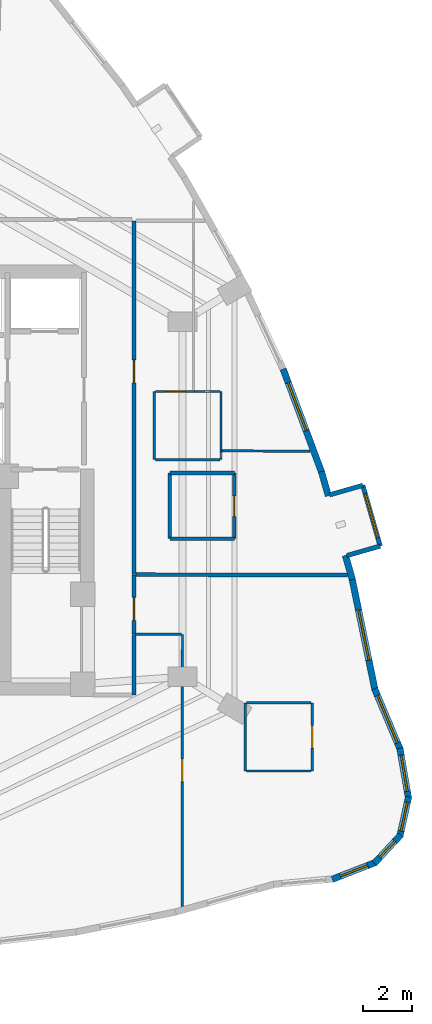
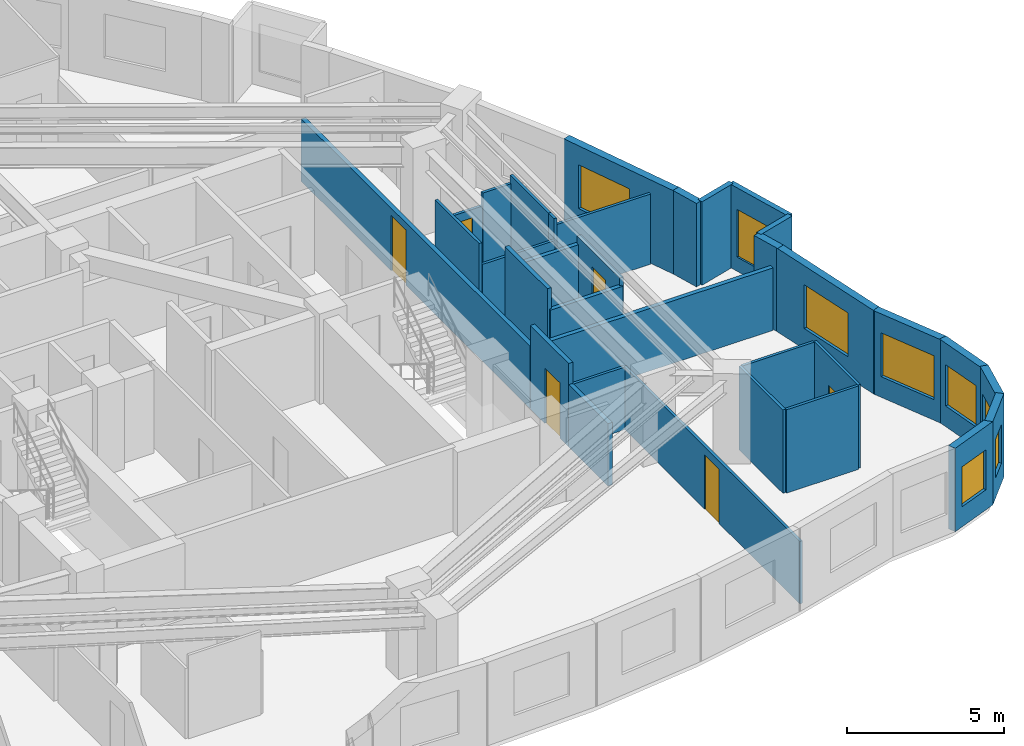
# One storey, part 7 of 10: 33 walls, 8 windows, 6 doors, 14 openings.
"""IFC4 building model written with IfcOpenShell, lengths in metres."""

from ifc_helpers import new_model, si_unit, direction, frame, frame_2d, origin, place, context, subcontext, project, spatial, rectangle, extrude, material, layer, layer_set, type_object, element, fill, save


model = new_model("IFC4")

# Units and contexts
model_context = context("Model", 3, precision=1e-05, world=origin(), true_north=direction((0.0, 1.0)))
body_context = subcontext(model_context, "Body", "Model", "MODEL_VIEW")
ifc_project = project(units=[si_unit("LENGTHUNIT", "METRE"), si_unit("AREAUNIT", "SQUARE_METRE"), si_unit("VOLUMEUNIT", "CUBIC_METRE"), si_unit("PLANEANGLEUNIT", "RADIAN"), si_unit("MASSUNIT", "GRAM", prefix="KILO")], contexts=[model_context])

# Site, building, storey
site_placement = place(None, origin())
site = spatial("IfcSite", under=ifc_project, at=site_placement, CompositionType="ELEMENT")
building_placement = place(site_placement, origin())
building = spatial("IfcBuilding", under=site, at=building_placement, Name="Miruveldt Soraemaru", CompositionType="ELEMENT")
storey_placement = place(building_placement, frame((0.0, 0.0, 124.89990234375)))
storey = spatial("IfcBuildingStorey", under=building, at=storey_placement, Name="L34", CompositionType="ELEMENT", Elevation=124.89990234375)

# Walls
ifc_material_1 = material(Name="White powder-coated aluminium EN AW-6060 T6", Category="aluminium")
ifc_layer_1 = layer(ifc_material_1, 0.18994140625, Name="White powder-coated aluminium EN AW-6060 T6", Category="aluminium")
ifc_layer_set_1 = layer_set([ifc_layer_1], Name="White powder-coated aluminium EN AW-6060 T6")
wall_type_1 = type_object("IfcWallType", Name="WALL-BAY-ALU190", PredefinedType="SOLIDWALL", material=ifc_layer_set_1)
for number, where, z_axis, x_axis, name in (
    (1, (63.357421875, 40.7822265625, 0.0), (0.0, 0.0, 1.0), (0.961394527133, 0.275173696414, 0.0), "L34 Bay Window Side Cheek 3L"),
    (2, (64.01220703125, 43.673828125, 0.0), (0.0, 0.0, 1.0), (-0.961439844578, -0.275015318223, 0.0), "L34 Bay Window Side Cheek 3R"),
):
    element("IfcWall", number, at=place(storey_placement, frame(where, z_axis=z_axis, x_axis=x_axis)), inside=storey, type_object=wall_type_1, Name=name, PredefinedType="SOLIDWALL", context=body_context, shape_type="SweptSolid", body=[
        extrude(rectangle(XDim=1.4248046875, YDim=0.18994140625, at=frame_2d((0.71240234375, 0.0))), origin(), (0.0, 0.0, 1.0), 3.235107421875),
    ])

# Wall, opening, window
wall_1_placement = place(storey_placement, frame((64.727294921875, 41.17431640625, 0.0), z_axis=(0.0, 0.0, 1.0), x_axis=(-0.275055990048, 0.961428209665, 0.0)))
wall_1 = element("IfcWall", 3, at=wall_1_placement, inside=storey, type_object=wall_type_1, Name="L34 Bay Window Front Frame 3", PredefinedType="SOLIDWALL", context=body_context, shape_type="SweptSolid", body=[
    extrude(rectangle(XDim=2.599853515625, YDim=0.18994140625, at=frame_2d((1.2998046875, 0.0))), origin(), (0.0, 0.0, 1.0), 3.235107421875),
])
opening_1_placement = place(wall_1_placement, frame((0.35009765625, 0.0, 0.550048828125)))
opening_1 = element("IfcOpeningElement", 4, at=opening_1_placement, cuts=wall_1, Name="Opening WN-6", PredefinedType="OPENING", context=body_context, shape_type="SweptSolid", body=[
    extrude(rectangle(XDim=1.89990234375, YDim=1.85009765625, at=frame_2d((0.949951171875, 0.925048828125))), frame((0.0, 0.10498046875, 0.0), z_axis=(0.0, -1.0, 0.0), x_axis=(1.0, 0.0, 0.0)), (0.0, 0.0, 1.0), 0.2099609375),
])
ifc_material_2 = material(Name="Triple low-e insulated glazing", Category="glass")
window_type_1 = type_object("IfcWindowType", Name="WIN-BAYW-1900x1850", PartitioningType="SINGLE_PANEL", PredefinedType="WINDOW", material=ifc_material_2)
window_1_placement = place(opening_1_placement, origin())
window_1 = element("IfcWindow", 5, at=window_1_placement, inside=storey, type_object=window_type_1, Name="L34 Projecting Bay Window 3", OverallHeight=1.85009765625, OverallWidth=1.89990234375, PartitioningType="SINGLE_PANEL", PredefinedType="WINDOW", context=body_context, shape_type="SweptSolid", body=[
    extrude(rectangle(XDim=1.89990234375, YDim=1.85009765625, at=frame_2d((0.949951171875, 0.925048828125))), frame((0.0, 0.030029296875, 0.0), z_axis=(0.0, -1.0, 0.0), x_axis=(1.0, 0.0, 0.0)), (0.0, 0.0, 1.0), 0.06005859375),
])
fill(opening_1, window_1)

ifc_material_3 = material(Name="Precast concrete C45/55 (45 MPa)", Category="concrete")
ifc_layer_2 = layer(ifc_material_3, 0.27001953125, Name="Precast concrete C45/55 (45 MPa)", Category="concrete")
ifc_layer_set_2 = layer_set([ifc_layer_2], Name="Precast concrete C45/55 (45 MPa)")
wall_type_2 = type_object("IfcWallType", Name="WALL-EXT-PC270", PredefinedType="SOLIDWALL", material=ifc_layer_set_2)
wall_2_placement = place(storey_placement, frame((62.754150390625, 27.4765625, 0.0), z_axis=(0.0, 0.0, 1.0), x_axis=(0.932274534564, 0.361751561438, 0.0)))
wall_2 = element("IfcWall", 6, at=wall_2_placement, inside=storey, type_object=wall_type_2, Name="L34 Precast Concrete Facade Wall 30", PredefinedType="SOLIDWALL", context=body_context, shape_type="SweptSolid", body=[
    extrude(rectangle(XDim=1.916748046875, YDim=0.27001953125, at=frame_2d((0.95849609375, 0.0))), origin(), (0.0, 0.0, 1.0), 3.235107421875),
])
opening_2_placement = place(wall_2_placement, frame((0.35888671875, 0.0, 0.780029296875)))
opening_2 = element("IfcOpeningElement", 7, at=opening_2_placement, cuts=wall_2, Name="Opening WN-4", PredefinedType="OPENING", context=body_context, shape_type="SweptSolid", body=[
    extrude(rectangle(XDim=1.199951171875, YDim=1.550048828125, at=frame_2d((0.60009765625, 0.77490234375))), frame((0.0, 0.14501953125, 0.0), z_axis=(0.0, -1.0, 0.0), x_axis=(1.0, 0.0, 0.0)), (0.0, 0.0, 1.0), 0.2900390625),
])
window_type_2 = type_object("IfcWindowType", Name="WIN-PUNCH-1200x1550", PartitioningType="SINGLE_PANEL", PredefinedType="WINDOW", material=ifc_material_2)
window_2_placement = place(opening_2_placement, origin())
window_2 = element("IfcWindow", 8, at=window_2_placement, inside=storey, type_object=window_type_2, Name="L34 Punched Triple-Glazed Window 30.1", OverallHeight=1.550048828125, OverallWidth=1.199951171875, PartitioningType="SINGLE_PANEL", PredefinedType="WINDOW", context=body_context, shape_type="SweptSolid", body=[
    extrude(rectangle(XDim=1.199951171875, YDim=1.550048828125, at=frame_2d((0.60009765625, 0.77490234375))), frame((0.0, 0.030029296875, 0.0), z_axis=(0.0, -1.0, 0.0), x_axis=(1.0, 0.0, 0.0)), (0.0, 0.0, 1.0), 0.06005859375),
])
fill(opening_2, window_2)

wall_3_placement = place(storey_placement, frame((64.484619140625, 28.131591796875, 0.0), z_axis=(0.0, 0.0, 1.0), x_axis=(0.680103285959, 0.733116307572, 0.0)))
wall_3 = element("IfcWall", 9, at=wall_3_placement, inside=storey, type_object=wall_type_2, Name="L34 Precast Concrete Facade Wall 31", PredefinedType="SOLIDWALL", context=body_context, shape_type="SweptSolid", body=[
    extrude(rectangle(XDim=1.5888671875, YDim=0.27001953125, at=frame_2d((0.79443359375, 0.0))), origin(), (0.0, 0.0, 1.0), 3.235107421875),
])
opening_3_placement = place(wall_3_placement, frame((0.343994140625, 0.0, 0.780029296875)))
opening_3 = element("IfcOpeningElement", 10, at=opening_3_placement, cuts=wall_3, Name="Opening WN-7", PredefinedType="OPENING", context=body_context, shape_type="SweptSolid", body=[
    extrude(rectangle(XDim=0.89990234375, YDim=1.5, at=frame_2d((0.449951171875, 0.75))), frame((0.0, 0.14501953125, 0.0), z_axis=(0.0, -1.0, 0.0), x_axis=(1.0, 0.0, 0.0)), (0.0, 0.0, 1.0), 0.2900390625),
])
window_type_3 = type_object("IfcWindowType", Name="WIN-PUNCH-900x1500", PartitioningType="SINGLE_PANEL", PredefinedType="WINDOW", material=ifc_material_2)
window_3_placement = place(opening_3_placement, origin())
window_3 = element("IfcWindow", 11, at=window_3_placement, inside=storey, type_object=window_type_3, Name="L34 Punched Triple-Glazed Window 31.1", OverallHeight=1.5, OverallWidth=0.89990234375, PartitioningType="SINGLE_PANEL", PredefinedType="WINDOW", context=body_context, shape_type="SweptSolid", body=[
    extrude(rectangle(XDim=0.89990234375, YDim=1.5, at=frame_2d((0.449951171875, 0.75))), frame((0.0, 0.030029296875, 0.0), z_axis=(0.0, -1.0, 0.0), x_axis=(1.0, 0.0, 0.0)), (0.0, 0.0, 1.0), 0.06005859375),
])
fill(opening_3, window_3)

wall_4_placement = place(storey_placement, frame((65.533935546875, 29.236328125, 0.0), z_axis=(0.0, 0.0, 1.0), x_axis=(0.215658248495, 0.976468903681, 0.0)))
wall_4 = element("IfcWall", 12, at=wall_4_placement, inside=storey, type_object=wall_type_2, Name="L34 Precast Concrete Facade Wall 32", PredefinedType="SOLIDWALL", context=body_context, shape_type="SweptSolid", body=[
    extrude(rectangle(XDim=1.66650390625, YDim=0.27001953125, at=frame_2d((0.833251953125, 0.0))), origin(), (0.0, 0.0, 1.0), 3.235107421875),
])
opening_4_placement = place(wall_4_placement, frame((0.23291015625, 0.0, 0.780029296875)))
opening_4 = element("IfcOpeningElement", 13, at=opening_4_placement, cuts=wall_4, Name="Opening WN-4", PredefinedType="OPENING", context=body_context, shape_type="SweptSolid", body=[
    extrude(rectangle(XDim=1.199951171875, YDim=1.550048828125, at=frame_2d((0.60009765625, 0.77490234375))), frame((0.0, 0.14501953125, 0.0), z_axis=(0.0, -1.0, 0.0), x_axis=(1.0, 0.0, 0.0)), (0.0, 0.0, 1.0), 0.2900390625),
])
window_4_placement = place(opening_4_placement, origin())
window_4 = element("IfcWindow", 14, at=window_4_placement, inside=storey, type_object=window_type_2, Name="L34 Punched Triple-Glazed Window 32.1", OverallHeight=1.550048828125, OverallWidth=1.199951171875, PartitioningType="SINGLE_PANEL", PredefinedType="WINDOW", context=body_context, shape_type="SweptSolid", body=[
    extrude(rectangle(XDim=1.199951171875, YDim=1.550048828125, at=frame_2d((0.60009765625, 0.77490234375))), frame((0.0, 0.030029296875, 0.0), z_axis=(0.0, -1.0, 0.0), x_axis=(1.0, 0.0, 0.0)), (0.0, 0.0, 1.0), 0.06005859375),
])
fill(opening_4, window_4)

wall_5_placement = place(storey_placement, frame((65.8916015625, 30.794921875, 0.0), z_axis=(0.0, 0.0, 1.0), x_axis=(-0.169234430957, 0.985575825281, 0.0)))
wall_5 = element("IfcWall", 15, at=wall_5_placement, inside=storey, type_object=wall_type_2, Name="L34 Precast Concrete Facade Wall 33", PredefinedType="SOLIDWALL", context=body_context, shape_type="SweptSolid", body=[
    extrude(rectangle(XDim=2.103271484375, YDim=0.27001953125, at=frame_2d((1.0517578125, 0.0))), origin(), (0.0, 0.0, 1.0), 3.235107421875),
])
opening_5_placement = place(wall_5_placement, frame((0.302001953125, 0.0, 0.800048828125)))
opening_5 = element("IfcOpeningElement", 16, at=opening_5_placement, cuts=wall_5, Name="Opening WN-3", PredefinedType="OPENING", context=body_context, shape_type="SweptSolid", body=[
    extrude(rectangle(XDim=1.5, YDim=1.60009765625, at=frame_2d((0.75, 0.800048828125))), frame((0.0, 0.14501953125, 0.0), z_axis=(0.0, -1.0, 0.0), x_axis=(1.0, 0.0, 0.0)), (0.0, 0.0, 1.0), 0.2900390625),
])
window_type_4 = type_object("IfcWindowType", Name="WIN-PUNCH-1500x1600", PartitioningType="SINGLE_PANEL", PredefinedType="WINDOW", material=ifc_material_2)
window_5_placement = place(opening_5_placement, origin())
window_5 = element("IfcWindow", 17, at=window_5_placement, inside=storey, type_object=window_type_4, Name="L34 Punched Triple-Glazed Window 33.1", OverallHeight=1.60009765625, OverallWidth=1.5, PartitioningType="SINGLE_PANEL", PredefinedType="WINDOW", context=body_context, shape_type="SweptSolid", body=[
    extrude(rectangle(XDim=1.5, YDim=1.60009765625, at=frame_2d((0.75, 0.800048828125))), frame((0.0, 0.030029296875, 0.0), z_axis=(0.0, -1.0, 0.0), x_axis=(1.0, 0.0, 0.0)), (0.0, 0.0, 1.0), 0.06005859375),
])
fill(opening_5, window_5)

wall_6_placement = place(storey_placement, frame((65.55517578125, 32.801025390625, 0.0), z_axis=(0.0, 0.0, 1.0), x_axis=(-0.388620980752, 0.921397706378, 0.0)))
wall_6 = element("IfcWall", 18, at=wall_6_placement, inside=storey, type_object=wall_type_2, Name="L34 Precast Concrete Facade Wall 34", PredefinedType="SOLIDWALL", context=body_context, shape_type="SweptSolid", body=[
    extrude(rectangle(XDim=2.728271484375, YDim=0.27001953125, at=frame_2d((1.3642578125, 0.0))), origin(), (0.0, 0.0, 1.0), 3.235107421875),
])
opening_6_placement = place(wall_6_placement, frame((0.31396484375, 0.0, 0.800048828125)))
opening_6 = element("IfcOpeningElement", 19, at=opening_6_placement, cuts=wall_6, Name="Opening WN-1", PredefinedType="OPENING", context=body_context, shape_type="SweptSolid", body=[
    extrude(rectangle(XDim=2.10009765625, YDim=1.699951171875, at=frame_2d((1.050048828125, 0.85009765625))), frame((0.0, 0.14501953125, 0.0), z_axis=(0.0, -1.0, 0.0), x_axis=(1.0, 0.0, 0.0)), (0.0, 0.0, 1.0), 0.2900390625),
])
window_type_5 = type_object("IfcWindowType", Name="WIN-PUNCH-2100x1700", PartitioningType="SINGLE_PANEL", PredefinedType="WINDOW", material=ifc_material_2)
window_6_placement = place(opening_6_placement, origin())
window_6 = element("IfcWindow", 20, at=window_6_placement, inside=storey, type_object=window_type_5, Name="L34 Punched Triple-Glazed Window 34.1", OverallHeight=1.699951171875, OverallWidth=2.10009765625, PartitioningType="SINGLE_PANEL", PredefinedType="WINDOW", context=body_context, shape_type="SweptSolid", body=[
    extrude(rectangle(XDim=2.10009765625, YDim=1.699951171875, at=frame_2d((1.050048828125, 0.85009765625))), frame((0.0, 0.030029296875, 0.0), z_axis=(0.0, -1.0, 0.0), x_axis=(1.0, 0.0, 0.0)), (0.0, 0.0, 1.0), 0.06005859375),
])
fill(opening_6, window_6)

wall_7_placement = place(storey_placement, frame((64.515380859375, 35.248291015625, 0.0), z_axis=(0.0, 0.0, 1.0), x_axis=(-0.201556379957, 0.979476914327, 0.0)))
wall_7 = element("IfcWall", 21, at=wall_7_placement, inside=storey, type_object=wall_type_2, Name="L34 Precast Concrete Facade Wall 35", PredefinedType="SOLIDWALL", context=body_context, shape_type="SweptSolid", body=[
    extrude(rectangle(XDim=4.70947265625, YDim=0.27001953125, at=frame_2d((2.354736328125, 0.0))), origin(), (0.0, 0.0, 1.0), 3.235107421875),
])
opening_7_placement = place(wall_7_placement, frame((1.262939453125, 0.0, 0.800048828125)))
opening_7 = element("IfcOpeningElement", 22, at=opening_7_placement, cuts=wall_7, Name="Opening WN-1", PredefinedType="OPENING", context=body_context, shape_type="SweptSolid", body=[
    extrude(rectangle(XDim=2.10009765625, YDim=1.699951171875, at=frame_2d((1.050048828125, 0.85009765625))), frame((0.0, 0.14501953125, 0.0), z_axis=(0.0, -1.0, 0.0), x_axis=(1.0, 0.0, 0.0)), (0.0, 0.0, 1.0), 0.2900390625),
])
window_7_placement = place(opening_7_placement, origin())
window_7 = element("IfcWindow", 23, at=window_7_placement, inside=storey, type_object=window_type_5, Name="L34 Punched Triple-Glazed Window 35.1", OverallHeight=1.699951171875, OverallWidth=2.10009765625, PartitioningType="SINGLE_PANEL", PredefinedType="WINDOW", context=body_context, shape_type="SweptSolid", body=[
    extrude(rectangle(XDim=2.10009765625, YDim=1.699951171875, at=frame_2d((1.050048828125, 0.85009765625))), frame((0.0, 0.030029296875, 0.0), z_axis=(0.0, -1.0, 0.0), x_axis=(1.0, 0.0, 0.0)), (0.0, 0.0, 1.0), 0.06005859375),
])
fill(opening_7, window_7)

# Walls
wall_8_placement = place(storey_placement, frame((63.5830078125, 39.793212890625, 0.0), z_axis=(0.0, 0.0, 1.0), x_axis=(-0.275061210483, 0.96142671613, 0.0)))
element("IfcWall", 24, at=wall_8_placement, inside=storey, type_object=wall_type_2, Name="L34 Precast Pier Wall 36A", PredefinedType="SOLIDWALL", context=body_context, shape_type="SweptSolid", body=[
    extrude(rectangle(XDim=1.04296875, YDim=0.27001953125, at=frame_2d((0.521484375, 0.0))), origin(), (0.0, 0.0, 1.0), 3.235107421875),
])
wall_9_placement = place(storey_placement, frame((62.59765625, 43.238037109375, 0.0), z_axis=(0.0, 0.0, 1.0), x_axis=(-0.274999317233, 0.961444421442, 0.0)))
element("IfcWall", 25, at=wall_9_placement, inside=storey, type_object=wall_type_2, Name="L34 Precast Pier Wall 36B", PredefinedType="SOLIDWALL", context=body_context, shape_type="SweptSolid", body=[
    extrude(rectangle(XDim=1.043212890625, YDim=0.27001953125, at=frame_2d((0.521484375, 0.0))), origin(), (0.0, 0.0, 1.0), 3.235107421875),
])

# Wall, opening, window
wall_10_placement = place(storey_placement, frame((62.332763671875, 44.174560546875, 0.0), z_axis=(0.0, 0.0, 1.0), x_axis=(-0.349038189094, 0.937108500951, 0.0)))
wall_10 = element("IfcWall", 26, at=wall_10_placement, inside=storey, type_object=wall_type_2, Name="L34 Precast Concrete Facade Wall 37", PredefinedType="SOLIDWALL", context=body_context, shape_type="SweptSolid", body=[
    extrude(rectangle(XDim=4.569580078125, YDim=0.27001953125, at=frame_2d((2.28466796875, 0.0))), origin(), (0.0, 0.0, 1.0), 3.235107421875),
])
opening_8_placement = place(wall_10_placement, frame((1.860107421875, 0.0, 0.800048828125)))
opening_8 = element("IfcOpeningElement", 27, at=opening_8_placement, cuts=wall_10, Name="Opening WN-1", PredefinedType="OPENING", context=body_context, shape_type="SweptSolid", body=[
    extrude(rectangle(XDim=2.10009765625, YDim=1.699951171875, at=frame_2d((1.050048828125, 0.85009765625))), frame((0.0, 0.14501953125, 0.0), z_axis=(0.0, -1.0, 0.0), x_axis=(1.0, 0.0, 0.0)), (0.0, 0.0, 1.0), 0.2900390625),
])
window_8_placement = place(opening_8_placement, origin())
window_8 = element("IfcWindow", 28, at=window_8_placement, inside=storey, type_object=window_type_5, Name="L34 Punched Triple-Glazed Window 37.1", OverallHeight=1.699951171875, OverallWidth=2.10009765625, PartitioningType="SINGLE_PANEL", PredefinedType="WINDOW", context=body_context, shape_type="SweptSolid", body=[
    extrude(rectangle(XDim=2.10009765625, YDim=1.699951171875, at=frame_2d((1.050048828125, 0.85009765625))), frame((0.0, 0.030029296875, 0.0), z_axis=(0.0, -1.0, 0.0), x_axis=(1.0, 0.0, 0.0)), (0.0, 0.0, 1.0), 0.06005859375),
])
fill(opening_8, window_8)

# Wall, opening, door
ifc_material_4 = material(Name="Gypsum plasterboard lining", Category="gypsum")
ifc_layer_3 = layer(ifc_material_4, 0.10009765625, Name="Gypsum plasterboard lining", Category="gypsum")
ifc_layer_set_3 = layer_set([ifc_layer_3], Name="Gypsum plasterboard lining")
wall_type_3 = type_object("IfcWallType", Name="WALL-INT-P100", PredefinedType="PARTITIONING", material=ifc_layer_set_3)
wall_11_placement = place(storey_placement, frame((56.597900390625, 37.550048828125, 0.0), z_axis=(0.0, 0.0, 1.0), x_axis=(-0.001679789947, -0.999998589152, 0.0)))
wall_11 = element("IfcWall", 29, at=wall_11_placement, inside=storey, type_object=wall_type_3, Name="L34 Partition Wall 57", PredefinedType="PARTITIONING", context=body_context, shape_type="SweptSolid", body=[
    extrude(rectangle(XDim=11.191162109375, YDim=0.10009765625, at=frame_2d((5.595703125, 0.0))), origin(), (0.0, 0.0, 1.0), 2.423095703125),
])
opening_9_placement = place(wall_11_placement, frame((5.135986328125, 0.0, 0.0)))
opening_9 = element("IfcOpeningElement", 30, at=opening_9_placement, cuts=wall_11, Name="Opening D3A", PredefinedType="OPENING", context=body_context, shape_type="SweptSolid", body=[
    extrude(rectangle(XDim=0.919921875, YDim=2.10009765625, at=frame_2d((0.4599609375, 1.050048828125))), frame((0.0, 0.06005859375, 0.0), z_axis=(0.0, -1.0, 0.0), x_axis=(1.0, 0.0, 0.0)), (0.0, 0.0, 1.0), 0.1201171875),
])
ifc_material_5 = material(Name="Anodised aluminium EN AW-6063 T6", Category="aluminium")
door_type_1 = type_object("IfcDoorType", Name="DOOR-INT-920", OperationType="NOTDEFINED", PredefinedType="DOOR", material=ifc_material_5)
door_1_placement = place(opening_9_placement, origin())
door_1 = element("IfcDoor", 31, at=door_1_placement, inside=storey, type_object=door_type_1, Name="L34 Unit 3407 BD4 Door", OperationType="SINGLE_SWING_RIGHT", OverallHeight=2.10009765625, OverallWidth=0.919921875, PredefinedType="DOOR", context=body_context, shape_type="SweptSolid", body=[
    extrude(rectangle(XDim=0.919921875, YDim=2.10009765625, at=frame_2d((0.4599609375, 1.050048828125))), frame((0.0, 0.02490234375, 0.0), z_axis=(0.0, -1.0, 0.0), x_axis=(1.0, 0.0, 0.0)), (0.0, 0.0, 1.0), 0.050048828125),
])
fill(opening_9, door_1)

wall_12_placement = place(storey_placement, frame((61.929931640625, 31.928955078125, 0.0), z_axis=(0.0, 0.0, 1.0), x_axis=(0.0, 1.0, 0.0)))
wall_12 = element("IfcWall", 32, at=wall_12_placement, inside=storey, type_object=wall_type_3, Name="L34 Partition Wall 52", PredefinedType="PARTITIONING", context=body_context, shape_type="SweptSolid", body=[
    extrude(rectangle(XDim=2.800048828125, YDim=0.10009765625, at=frame_2d((1.39990234375, 0.0))), origin(), (0.0, 0.0, 1.0), 3.235107421875),
])
opening_10_placement = place(wall_12_placement, frame((0.93994140625, 0.0, 0.0)))
opening_10 = element("IfcOpeningElement", 33, at=opening_10_placement, cuts=wall_12, Name="Opening D3A", PredefinedType="OPENING", context=body_context, shape_type="SweptSolid", body=[
    extrude(rectangle(XDim=0.919921875, YDim=2.10009765625, at=frame_2d((0.4599609375, 1.050048828125))), frame((0.0, 0.06005859375, 0.0), z_axis=(0.0, -1.0, 0.0), x_axis=(1.0, 0.0, 0.0)), (0.0, 0.0, 1.0), 0.1201171875),
])
door_2_placement = place(opening_10_placement, origin())
door_2 = element("IfcDoor", 34, at=door_2_placement, inside=storey, type_object=door_type_1, Name="L34 Unit 3407 KIT Door", OperationType="SINGLE_SWING_LEFT", OverallHeight=2.10009765625, OverallWidth=0.919921875, PredefinedType="DOOR", context=body_context, shape_type="SweptSolid", body=[
    extrude(rectangle(XDim=0.919921875, YDim=2.10009765625, at=frame_2d((0.4599609375, 1.050048828125))), frame((0.0, 0.02490234375, 0.0), z_axis=(0.0, -1.0, 0.0), x_axis=(1.0, 0.0, 0.0)), (0.0, 0.0, 1.0), 0.050048828125),
])
fill(opening_10, door_2)

wall_13_placement = place(storey_placement, frame((57.090087890625, 47.530029296875, 0.0), z_axis=(0.0, 0.0, 1.0), x_axis=(-1.0, 0.0, 0.0)))
wall_13 = element("IfcWall", 35, at=wall_13_placement, inside=storey, type_object=wall_type_3, Name="L34 Partition Wall 44", PredefinedType="PARTITIONING", context=body_context, shape_type="SweptSolid", body=[
    extrude(rectangle(XDim=1.610107421875, YDim=0.10009765625, at=frame_2d((0.80517578125, 0.0))), origin(), (0.0, 0.0, 1.0), 2.423095703125),
])
opening_11_placement = place(wall_13_placement, frame((0.375, 0.0, 0.0)))
opening_11 = element("IfcOpeningElement", 36, at=opening_11_placement, cuts=wall_13, Name="Opening FD3", PredefinedType="OPENING", context=body_context, shape_type="SweptSolid", body=[
    extrude(rectangle(XDim=0.85009765625, YDim=2.10009765625, at=frame_2d((0.425048828125, 1.050048828125))), frame((0.0, 0.06005859375, 0.0), z_axis=(0.0, -1.0, 0.0), x_axis=(1.0, 0.0, 0.0)), (0.0, 0.0, 1.0), 0.1201171875),
])
door_type_2 = type_object("IfcDoorType", Name="DOOR-FD3-850", OperationType="NOTDEFINED", PredefinedType="DOOR", material=ifc_material_5)
door_3_placement = place(opening_11_placement, origin())
door_3 = element("IfcDoor", 37, at=door_3_placement, inside=storey, type_object=door_type_2, Name="L34 Unit 3406 KIT Door", OperationType="SINGLE_SWING_RIGHT", OverallHeight=2.10009765625, OverallWidth=0.85009765625, PredefinedType="DOOR", context=body_context, shape_type="SweptSolid", body=[
    extrude(rectangle(XDim=0.85009765625, YDim=2.10009765625, at=frame_2d((0.425048828125, 1.050048828125))), frame((0.0, 0.02490234375, 0.0), z_axis=(0.0, -1.0, 0.0), x_axis=(1.0, 0.0, 0.0)), (0.0, 0.0, 1.0), 0.050048828125),
])
fill(opening_11, door_3)

# Walls
wall_14_placement = place(storey_placement, frame((61.840087890625, 45.069091796875, 0.0), z_axis=(0.0, 0.0, 1.0), x_axis=(-0.999978039223, 0.00662729748, 0.0)))
element("IfcWall", 38, at=wall_14_placement, inside=storey, type_object=wall_type_3, Name="L34 Partition Wall 47", PredefinedType="PARTITIONING", context=body_context, shape_type="SweptSolid", body=[
    extrude(rectangle(XDim=3.610107421875, YDim=0.10009765625, at=frame_2d((1.80517578125, 0.0))), origin(), (0.0, 0.0, 1.0), 2.72314453125),
])
for number, where, z_axis, x_axis, name in (
    (39, (55.429931640625, 47.530029296875, 0.0), (0.0, 0.0, 1.0), (0.0, -1.0, 0.0), "L34 Partition Wall 45"),
    (40, (59.179931640625, 34.72900390625, 0.0), (0.0, 0.0, 1.0), (0.0, -1.0, 0.0), "L34 Partition Wall 54"),
):
    element("IfcWall", number, at=place(storey_placement, frame(where, z_axis=z_axis, x_axis=x_axis)), inside=storey, type_object=wall_type_3, Name=name, PredefinedType="PARTITIONING", context=body_context, shape_type="SweptSolid", body=[
        extrude(rectangle(XDim=2.800048828125, YDim=0.10009765625, at=frame_2d((1.39990234375, 0.0))), origin(), (0.0, 0.0, 1.0), 3.235107421875),
    ])
wall_15_placement = place(storey_placement, frame((55.47998046875, 44.72998046875, 0.0), z_axis=(0.0, 0.0, 1.0), x_axis=(1.0, 0.0, 0.0)))
element("IfcWall", 41, at=wall_15_placement, inside=storey, type_object=wall_type_3, Name="L34 Partition Wall 46", PredefinedType="PARTITIONING", context=body_context, shape_type="SweptSolid", body=[
    extrude(rectangle(XDim=2.64990234375, YDim=0.10009765625, at=frame_2d((1.324951171875, 0.0))), origin(), (0.0, 0.0, 1.0), 2.423095703125),
])
for number, where, z_axis, x_axis, name in (
    (42, (61.8798828125, 34.72900390625, 0.0), (0.0, 0.0, 1.0), (-1.0, 0.0, 0.0), "L34 Partition Wall 53"),
    (43, (59.22998046875, 31.928955078125, 0.0), (0.0, 0.0, 1.0), (1.0, 0.0, 0.0), "L34 Partition Wall 55"),
):
    element("IfcWall", number, at=place(storey_placement, frame(where, z_axis=z_axis, x_axis=x_axis)), inside=storey, type_object=wall_type_3, Name=name, PredefinedType="PARTITIONING", context=body_context, shape_type="SweptSolid", body=[
        extrude(rectangle(XDim=2.64990234375, YDim=0.10009765625, at=frame_2d((1.324951171875, 0.0))), origin(), (0.0, 0.0, 1.0), 3.235107421875),
    ])
wall_16_placement = place(storey_placement, frame((58.179931640625, 45.093017578125, 0.0), z_axis=(0.0, 0.0, 1.0), x_axis=(0.0, 1.0, 0.0)))
element("IfcWall", 44, at=wall_16_placement, inside=storey, type_object=wall_type_3, Name="L34 Partition Wall 50", PredefinedType="PARTITIONING", context=body_context, shape_type="SweptSolid", body=[
    extrude(rectangle(XDim=2.43701171875, YDim=0.10009765625, at=frame_2d((1.218505859375, 0.0))), origin(), (0.0, 0.0, 1.0), 3.235107421875),
])
wall_17_placement = place(storey_placement, frame((54.64990234375, 37.550048828125, 0.0), z_axis=(0.0, 0.0, 1.0), x_axis=(1.0, 0.0, 0.0)))
element("IfcWall", 45, at=wall_17_placement, inside=storey, type_object=wall_type_3, Name="L34 Partition Wall 56", PredefinedType="PARTITIONING", context=body_context, shape_type="SweptSolid", body=[
    extrude(rectangle(XDim=1.898193359375, YDim=0.10009765625, at=frame_2d((0.94921875, 0.0))), origin(), (0.0, 0.0, 1.0), 2.423095703125),
])
wall_18_placement = place(storey_placement, frame((58.1298828125, 47.530029296875, 0.0), z_axis=(0.0, 0.0, 1.0), x_axis=(-1.0, 0.0, 0.0)))
element("IfcWall", 46, at=wall_18_placement, inside=storey, type_object=wall_type_3, Name="L34 Partition Wall 51", PredefinedType="PARTITIONING", context=body_context, shape_type="SweptSolid", body=[
    extrude(rectangle(XDim=1.02978515625, YDim=0.10009765625, at=frame_2d((0.514892578125, 0.0))), origin(), (0.0, 0.0, 1.0), 2.923095703125),
])
wall_19_placement = place(storey_placement, frame((58.179931640625, 44.72998046875, 0.0), z_axis=(0.0, 0.0, 1.0), x_axis=(0.0, 1.0, 0.0)))
element("IfcWall", 47, at=wall_19_placement, inside=storey, type_object=wall_type_3, Name="L34 Partition Wall 43", PredefinedType="PARTITIONING", context=body_context, shape_type="SweptSolid", body=[
    extrude(rectangle(XDim=0.363037109375, YDim=0.10009765625, at=frame_2d((0.181640625, 0.0))), origin(), (0.0, 0.0, 1.0), 3.235107421875),
])

# Wall, opening, door
ifc_layer_4 = layer(ifc_material_4, 0.14990234375, Name="Gypsum plasterboard lining", Category="gypsum")
ifc_layer_set_4 = layer_set([ifc_layer_4], Name="Gypsum plasterboard lining")
wall_type_4 = type_object("IfcWallType", Name="WALL-INT-PLUMB", PredefinedType="PLUMBINGWALL", material=ifc_layer_set_4)
wall_20_placement = place(storey_placement, frame((58.72998046875, 41.47998046875, 0.0), z_axis=(0.0, 0.0, 1.0), x_axis=(0.0, 1.0, 0.0)))
wall_20 = element("IfcWall", 48, at=wall_20_placement, inside=storey, type_object=wall_type_4, Name="L34 Partition Wall 39", PredefinedType="PLUMBINGWALL", context=body_context, shape_type="SweptSolid", body=[
    extrude(rectangle(XDim=2.699951171875, YDim=0.14990234375, at=frame_2d((1.35009765625, 0.0))), origin(), (0.0, 0.0, 1.0), 2.72314453125),
])
opening_12_placement = place(wall_20_placement, frame((0.909912109375, 0.0, 0.0)))
opening_12 = element("IfcOpeningElement", 49, at=opening_12_placement, cuts=wall_20, Name="Opening FD3", PredefinedType="OPENING", context=body_context, shape_type="SweptSolid", body=[
    extrude(rectangle(XDim=0.85009765625, YDim=2.10009765625, at=frame_2d((0.425048828125, 1.050048828125))), frame((0.0, 0.0849609375, 0.0), z_axis=(0.0, -1.0, 0.0), x_axis=(1.0, 0.0, 0.0)), (0.0, 0.0, 1.0), 0.169921875),
])
door_4_placement = place(opening_12_placement, origin())
door_4 = element("IfcDoor", 50, at=door_4_placement, inside=storey, type_object=door_type_2, Name="L34 Unit 3406 BTH Door", OperationType="SINGLE_SWING_LEFT", OverallHeight=2.10009765625, OverallWidth=0.85009765625, PredefinedType="DOOR", context=body_context, shape_type="SweptSolid", body=[
    extrude(rectangle(XDim=0.85009765625, YDim=2.10009765625, at=frame_2d((0.425048828125, 1.050048828125))), frame((0.0, 0.02490234375, 0.0), z_axis=(0.0, -1.0, 0.0), x_axis=(1.0, 0.0, 0.0)), (0.0, 0.0, 1.0), 0.050048828125),
])
fill(opening_12, door_4)

# Walls
wall_21_placement = place(storey_placement, frame((56.080078125, 44.179931640625, 0.0), z_axis=(0.0, 0.0, 1.0), x_axis=(0.0, -1.0, 0.0)))
element("IfcWall", 51, at=wall_21_placement, inside=storey, type_object=wall_type_4, Name="L34 Partition Wall 41", PredefinedType="PLUMBINGWALL", context=body_context, shape_type="SweptSolid", body=[
    extrude(rectangle(XDim=2.699951171875, YDim=0.14990234375, at=frame_2d((1.35009765625, 0.0))), origin(), (0.0, 0.0, 1.0), 3.235107421875),
])
for number, where, z_axis, x_axis, name in (
    (52, (58.72998046875, 44.179931640625, 0.0), (0.0, 0.0, 1.0), (-1.0, 0.0, 0.0), "L34 Partition Wall 40"),
    (53, (56.080078125, 41.47998046875, 0.0), (0.0, 0.0, 1.0), (1.0, 0.0, 0.0), "L34 Partition Wall 42"),
):
    element("IfcWall", number, at=place(storey_placement, frame(where, z_axis=z_axis, x_axis=x_axis)), inside=storey, type_object=wall_type_4, Name=name, PredefinedType="PLUMBINGWALL", context=body_context, shape_type="SweptSolid", body=[
        extrude(rectangle(XDim=2.64990234375, YDim=0.14990234375, at=frame_2d((1.324951171875, 0.0))), origin(), (0.0, 0.0, 1.0), 2.423095703125),
    ])

# Wall, opening, door
ifc_material_6 = material(Name="Concrete C40/50 (40 MPa)", Category="concrete")
ifc_layer_5 = layer(ifc_material_6, 0.159912109375, Name="Concrete C40/50 (40 MPa)", Category="concrete")
ifc_layer_set_5 = layer_set([ifc_layer_5], Name="Concrete C40/50 (40 MPa)")
wall_type_5 = type_object("IfcWallType", Name="WALL-INT-RC160", PredefinedType="SOLIDWALL", material=ifc_layer_set_5)
wall_22_placement = place(storey_placement, frame((54.60009765625, 40.0029296875, 0.0), z_axis=(0.0, 0.0, 1.0), x_axis=(0.0, 1.0, 0.0)))
wall_22 = element("IfcWall", 54, at=wall_22_placement, inside=storey, type_object=wall_type_5, Name="L34 Partition Wall 8", PredefinedType="SOLIDWALL", context=body_context, shape_type="SweptSolid", body=[
    extrude(rectangle(XDim=14.544189453125, YDim=0.159912109375, at=frame_2d((7.27197265625, 0.0))), origin(), (0.0, 0.0, 1.0), 2.423095703125),
])
opening_13_placement = place(wall_22_placement, frame((7.876953125, 0.0, 0.0)))
opening_13 = element("IfcOpeningElement", 55, at=opening_13_placement, cuts=wall_22, Name="Opening FD2", PredefinedType="OPENING", context=body_context, shape_type="SweptSolid", body=[
    extrude(rectangle(XDim=0.949951171875, YDim=2.14990234375, at=frame_2d((0.47509765625, 1.074951171875))), frame((0.0, 0.08984375, 0.0), z_axis=(0.0, -1.0, 0.0), x_axis=(1.0, 0.0, 0.0)), (0.0, 0.0, 1.0), 0.179931640625),
])
door_type_3 = type_object("IfcDoorType", Name="DOOR-FD2-950", OperationType="NOTDEFINED", PredefinedType="DOOR", material=ifc_material_5)
door_5_placement = place(opening_13_placement, origin())
door_5 = element("IfcDoor", 56, at=door_5_placement, inside=storey, type_object=door_type_3, Name="L34 Unit 3406 Entrance Fire Door", OperationType="SINGLE_SWING_RIGHT", OverallHeight=2.14990234375, OverallWidth=0.949951171875, PredefinedType="DOOR", context=body_context, shape_type="SweptSolid", body=[
    extrude(rectangle(XDim=0.949951171875, YDim=2.14990234375, at=frame_2d((0.47509765625, 1.074951171875))), frame((0.0, 0.02490234375, 0.0), z_axis=(0.0, -1.0, 0.0), x_axis=(1.0, 0.0, 0.0)), (0.0, 0.0, 1.0), 0.050048828125),
])
fill(opening_13, door_5)

wall_23_placement = place(storey_placement, frame((54.60009765625, 37.555908203125, 0.0), z_axis=(0.0, 0.0, 1.0), x_axis=(0.0, 1.0, 0.0)))
wall_23 = element("IfcWall", 57, at=wall_23_placement, inside=storey, type_object=wall_type_5, Name="L34 Partition Wall 9", PredefinedType="SOLIDWALL", context=body_context, shape_type="SweptSolid", body=[
    extrude(rectangle(XDim=2.43798828125, YDim=0.159912109375, at=frame_2d((1.218994140625, 0.0))), origin(), (0.0, 0.0, 1.0), 3.235107421875),
])
opening_14_placement = place(wall_23_placement, frame((0.56396484375, 0.0, 0.0)))
opening_14 = element("IfcOpeningElement", 58, at=opening_14_placement, cuts=wall_23, Name="Opening FD2", PredefinedType="OPENING", context=body_context, shape_type="SweptSolid", body=[
    extrude(rectangle(XDim=0.949951171875, YDim=2.14990234375, at=frame_2d((0.47509765625, 1.074951171875))), frame((0.0, 0.08984375, 0.0), z_axis=(0.0, -1.0, 0.0), x_axis=(1.0, 0.0, 0.0)), (0.0, 0.0, 1.0), 0.179931640625),
])
door_6_placement = place(opening_14_placement, origin())
door_6 = element("IfcDoor", 59, at=door_6_placement, inside=storey, type_object=door_type_3, Name="L34 Unit 3407 Entrance Fire Door", OperationType="SINGLE_SWING_RIGHT", OverallHeight=2.14990234375, OverallWidth=0.949951171875, PredefinedType="DOOR", context=body_context, shape_type="SweptSolid", body=[
    extrude(rectangle(XDim=0.949951171875, YDim=2.14990234375, at=frame_2d((0.47509765625, 1.074951171875))), frame((0.0, 0.02490234375, 0.0), z_axis=(0.0, -1.0, 0.0), x_axis=(1.0, 0.0, 0.0)), (0.0, 0.0, 1.0), 0.050048828125),
])
fill(opening_14, door_6)

# Walls
wall_24_placement = place(storey_placement, frame((54.68603515625, 40.0, 0.0), z_axis=(0.0, 0.0, 1.0), x_axis=(0.999997837424, -0.002079698723, 0.0)))
element("IfcWall", 60, at=wall_24_placement, inside=storey, type_object=wall_type_5, Name="L34 Partition Wall 49", PredefinedType="SOLIDWALL", context=body_context, shape_type="SweptSolid", body=[
    extrude(rectangle(XDim=8.68701171875, YDim=0.159912109375, at=frame_2d((4.343505859375, 0.0))), origin(), (0.0, 0.0, 1.0), 2.423095703125),
])
wall_25_placement = place(storey_placement, frame((54.60009765625, 35.050048828125, 0.0), z_axis=(0.0, 0.0, 1.0), x_axis=(0.0, 1.0, 0.0)))
element("IfcWall", 61, at=wall_25_placement, inside=storey, type_object=wall_type_5, Name="L34 Partition Wall 11", PredefinedType="SOLIDWALL", context=body_context, shape_type="SweptSolid", body=[
    extrude(rectangle(XDim=2.5, YDim=0.159912109375, at=frame_2d((1.25, 0.0))), origin(), (0.0, 0.0, 1.0), 2.423095703125),
])

save(model, "model.ifc")
